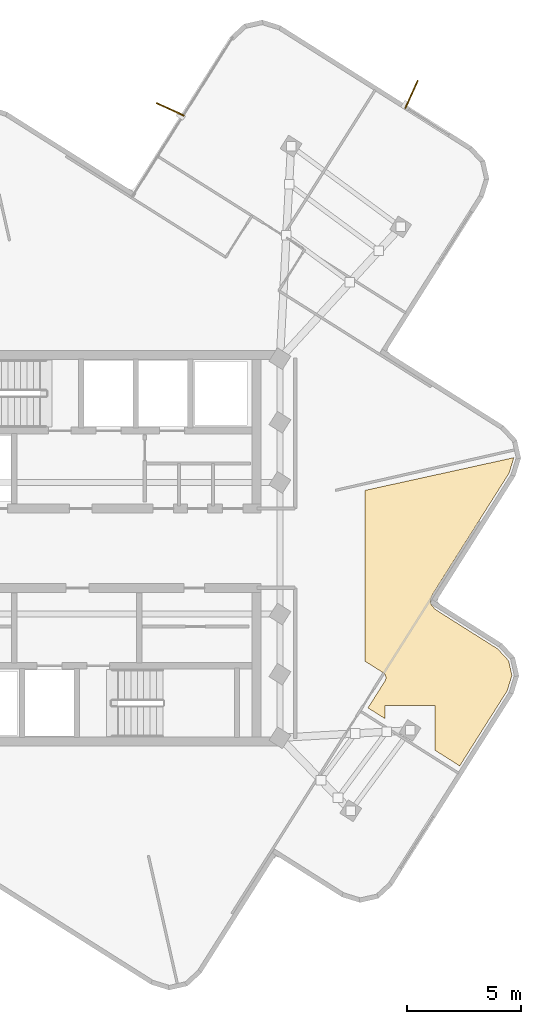
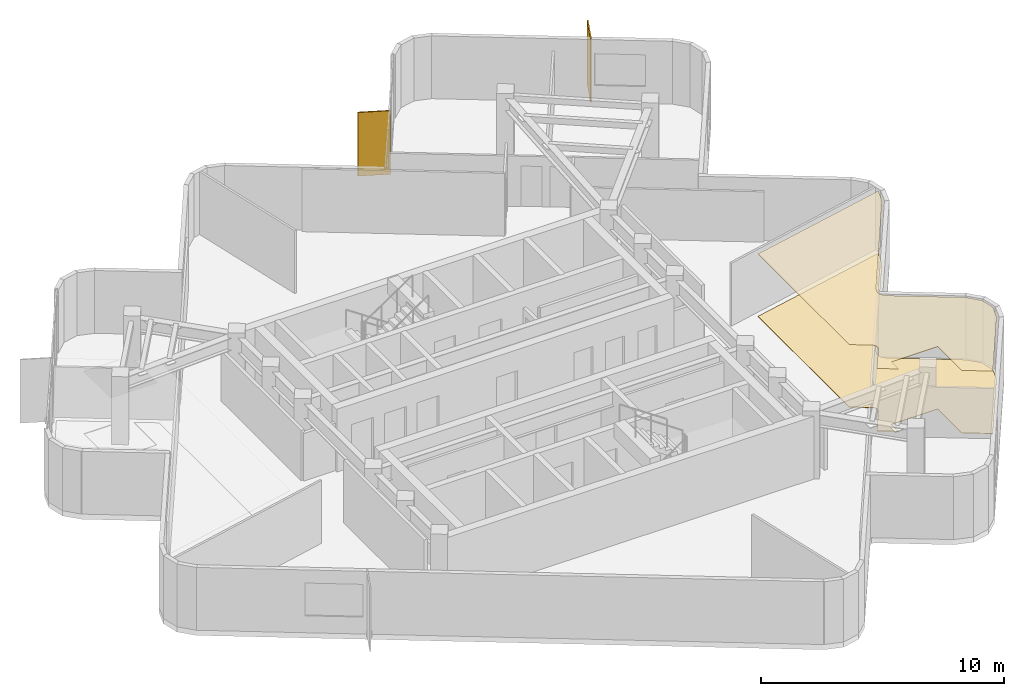
# One storey, part 10 of 10: 2 coverings, 2 shading devices.
"""IFC4 building model written with IfcOpenShell, lengths in metres."""

from ifc_helpers import new_model, si_unit, direction, frame, origin, origin_2d, place, context, subcontext, project, spatial, polyline, rectangle, outline, extrude, material, layer, layer_set, type_object, element, save


model = new_model("IFC4")

# Units and contexts
model_context = context("Model", 3, precision=1e-05, world=origin(), true_north=direction((0.0, 1.0)))
body_context = subcontext(model_context, "Body", "Model", "MODEL_VIEW")
ifc_project = project(units=[si_unit("LENGTHUNIT", "METRE"), si_unit("AREAUNIT", "SQUARE_METRE"), si_unit("VOLUMEUNIT", "CUBIC_METRE"), si_unit("PLANEANGLEUNIT", "RADIAN"), si_unit("MASSUNIT", "GRAM", prefix="KILO")], contexts=[model_context])

# Site, building, storey
site_placement = place(None, origin())
site = spatial("IfcSite", under=ifc_project, at=site_placement, CompositionType="ELEMENT")
building_placement = place(site_placement, origin())
building = spatial("IfcBuilding", under=site, at=building_placement, Name="Solmarez Civic Tower", CompositionType="ELEMENT")
storey_placement = place(building_placement, frame((0.0, 0.0, 274.860107421875)))
storey = spatial("IfcBuildingStorey", under=building, at=storey_placement, Name="L74", CompositionType="ELEMENT", Elevation=274.860107421875)

# Coverings
ifc_material_1 = material(Name="Perforated Mineral-Fibre Acoustic Ceiling")
ifc_layer_1 = layer(ifc_material_1, 0.02490234375)
ifc_layer_set_1 = layer_set([ifc_layer_1], Name="Perforated Mineral-Fibre Acoustic Ceiling")
covering_type_1 = type_object("IfcCoveringType", Name="COV-CEIL-ACOUSTIC", PredefinedType="CEILING", material=ifc_layer_set_1)
covering_1_placement = place(storey_placement, frame((0.0, 0.0, 3.135009765625)))
element("IfcCovering", 1, at=covering_1_placement, inside=storey, type_object=covering_type_1, Name="L74 Suspended Acoustic Ceiling 2", PredefinedType="CEILING", context=body_context, shape_type="SweptSolid", body=[
    extrude(outline(polyline([(12.60009765625, 2.547119140625), (12.60009765625, -4.97900390625), (13.39404296875, -5.47998046875), (13.4189453125, -5.4990234375), (13.425048828125, -5.50390625), (13.43505859375, -5.511962890625), (13.448974609375, -5.52587890625), (13.4619140625, -5.5419921875), (13.47412109375, -5.55810546875), (13.47900390625, -5.56591796875), (13.492919921875, -5.593994140625), (13.4970703125, -5.60302734375), (13.5, -5.610107421875), (13.501953125, -5.614990234375), (13.509033203125, -5.635009765625), (13.513916015625, -5.655029296875), (13.51708984375, -5.675048828125), (13.51806640625, -5.68505859375), (13.51904296875, -5.7080078125), (13.51806640625, -5.73095703125), (13.51708984375, -5.739990234375), (13.513916015625, -5.759033203125), (13.512939453125, -5.763916015625), (13.506103515625, -5.791015625), (13.5029296875, -5.800048828125), (13.493896484375, -5.822021484375), (13.48291015625, -5.843017578125), (13.47998046875, -5.847900390625), (13.47705078125, -5.85302734375), (12.72998046875, -7.034912109375), (13.48291015625, -7.510986328125), (13.48291015625, -6.926025390625), (15.68310546875, -6.926025390625), (15.68310546875, -8.90087890625), (16.77099609375, -9.589111328125), (18.860107421875, -6.282958984375), (19.070068359375, -5.60595703125), (18.923095703125, -4.955078125), (18.44189453125, -4.43505859375), (15.738037109375, -2.72607421875), (15.73291015625, -2.722900390625), (15.72705078125, -2.718994140625), (15.7099609375, -2.7060546875), (15.693115234375, -2.69189453125), (15.68798828125, -2.68701171875), (15.68310546875, -2.681884765625), (15.677978515625, -2.676025390625), (15.56103515625, -2.550048828125), (15.552978515625, -2.541015625), (15.548095703125, -2.534912109375), (15.533935546875, -2.51611328125), (15.530029296875, -2.510009765625), (15.52197265625, -2.4970703125), (15.51806640625, -2.489990234375), (15.507080078125, -2.468017578125), (15.50390625, -2.4609375), (15.493896484375, -2.43408203125), (15.491943359375, -2.427001953125), (15.489990234375, -2.419921875), (15.486083984375, -2.404052734375), (15.48388671875, -2.386962890625), (15.48291015625, -2.37890625), (15.48095703125, -2.35205078125), (15.48095703125, -2.3369140625), (15.48291015625, -2.31005859375), (15.48388671875, -2.302001953125), (15.486083984375, -2.284912109375), (15.489990234375, -2.26904296875), (15.491943359375, -2.261962890625), (15.493896484375, -2.257080078125), (15.544921875, -2.093017578125), (15.552978515625, -2.071044921875), (15.555908203125, -2.06396484375), (15.56103515625, -2.052978515625), (15.56396484375, -2.047119140625), (15.56689453125, -2.041015625), (15.577880859375, -2.02197265625), (18.943115234375, 3.304931640625), (19.153076171875, 3.98095703125), (19.152099609375, 3.988037109375), (12.60009765625, 2.547119140625)])), origin(), (0.0, 0.0, 1.0), 0.02490234375),
])
ifc_material_2 = material(Name="Polished Tropical Stone Terrazzo Flooring", Category="masonry")
ifc_layer_2 = layer(ifc_material_2, 0.02001953125)
ifc_layer_set_2 = layer_set([ifc_layer_2], Name="Polished Tropical Stone Terrazzo Flooring")
covering_type_2 = type_object("IfcCoveringType", Name="COV-FLOOR-TERRAZZO", PredefinedType="FLOORING", material=ifc_layer_set_2)
covering_2_placement = place(storey_placement, origin())
element("IfcCovering", 2, at=covering_2_placement, inside=storey, type_object=covering_type_2, Name="L74 Terrazzo Floor Finish 2", PredefinedType="FLOORING", context=body_context, shape_type="SweptSolid", body=[
    extrude(outline(polyline([(12.60009765625, 2.547119140625), (12.60009765625, -4.97900390625), (13.39404296875, -5.47998046875), (13.4189453125, -5.4990234375), (13.425048828125, -5.50390625), (13.43505859375, -5.511962890625), (13.448974609375, -5.52587890625), (13.4619140625, -5.5419921875), (13.47412109375, -5.55810546875), (13.47900390625, -5.56591796875), (13.492919921875, -5.593994140625), (13.4970703125, -5.60302734375), (13.5, -5.610107421875), (13.501953125, -5.614990234375), (13.509033203125, -5.635009765625), (13.513916015625, -5.655029296875), (13.51708984375, -5.675048828125), (13.51806640625, -5.68505859375), (13.51904296875, -5.7080078125), (13.51806640625, -5.73095703125), (13.51708984375, -5.739990234375), (13.513916015625, -5.759033203125), (13.512939453125, -5.763916015625), (13.506103515625, -5.791015625), (13.5029296875, -5.800048828125), (13.493896484375, -5.822021484375), (13.48291015625, -5.843017578125), (13.47998046875, -5.847900390625), (13.47705078125, -5.85302734375), (12.72998046875, -7.034912109375), (13.48291015625, -7.510986328125), (13.48291015625, -6.926025390625), (15.68310546875, -6.926025390625), (15.68310546875, -8.90087890625), (16.77099609375, -9.589111328125), (18.860107421875, -6.282958984375), (19.070068359375, -5.60595703125), (18.923095703125, -4.955078125), (18.44189453125, -4.43505859375), (15.738037109375, -2.72607421875), (15.73291015625, -2.722900390625), (15.72705078125, -2.718994140625), (15.7099609375, -2.7060546875), (15.693115234375, -2.69189453125), (15.68798828125, -2.68701171875), (15.68310546875, -2.681884765625), (15.677978515625, -2.676025390625), (15.56103515625, -2.550048828125), (15.552978515625, -2.541015625), (15.548095703125, -2.534912109375), (15.533935546875, -2.51611328125), (15.530029296875, -2.510009765625), (15.52197265625, -2.4970703125), (15.51806640625, -2.489990234375), (15.507080078125, -2.468017578125), (15.50390625, -2.4609375), (15.493896484375, -2.43408203125), (15.491943359375, -2.427001953125), (15.489990234375, -2.419921875), (15.486083984375, -2.404052734375), (15.48388671875, -2.386962890625), (15.48291015625, -2.37890625), (15.48095703125, -2.35205078125), (15.48095703125, -2.3369140625), (15.48291015625, -2.31005859375), (15.48388671875, -2.302001953125), (15.486083984375, -2.284912109375), (15.489990234375, -2.26904296875), (15.491943359375, -2.261962890625), (15.493896484375, -2.257080078125), (15.544921875, -2.093017578125), (15.552978515625, -2.071044921875), (15.555908203125, -2.06396484375), (15.56103515625, -2.052978515625), (15.56396484375, -2.047119140625), (15.56689453125, -2.041015625), (15.577880859375, -2.02197265625), (18.943115234375, 3.304931640625), (19.153076171875, 3.98095703125), (19.152099609375, 3.988037109375), (12.60009765625, 2.547119140625)])), origin(), (0.0, 0.0, 1.0), 0.019775390625),
])

# Shading devices
ifc_material_3 = material(Name="Bronze Anodised Aluminium EN AW-6063 T6", Category="aluminium")
ifc_layer_3 = layer(ifc_material_3, 0.054931640625)
ifc_layer_set_3 = layer_set([ifc_layer_3], Name="Bronze Anodised Aluminium EN AW-6063 T6")
shading_device_type = type_object("IfcShadingDeviceType", Name="FIN-BRONZE-Z56", PredefinedType="USERDEFINED", material=ifc_layer_set_3)
for number, where, z_axis, x_axis, name in (
    (3, (4.02001953125, 19.3310546875, -0.0400390625), (0.0, 0.0, 1.0), (-0.911245199283, 0.411864281997, 0.0), "L74 Anodised Bronze Solar Fin FIN-L74-03"),
    (4, (14.64697265625, 19.991943359375, -0.0400390625), (0.0, 0.0, 1.0), (0.412007414976, 0.911180492551, 0.0), "L74 Anodised Bronze Solar Fin FIN-L74-04"),
):
    element("IfcShadingDevice", number, at=place(storey_placement, frame(where, z_axis=z_axis, x_axis=x_axis)), inside=storey, type_object=shading_device_type, Name=name, ObjectType="FIN", PredefinedType="USERDEFINED", context=body_context, shape_type="SweptSolid", body=[
        extrude(rectangle(XDim=1.35009765625, YDim=0.054931640625, at=origin_2d()), origin(), (0.0, 0.0, 1.0), 3.199951171875),
    ])

save(model, "model.ifc")
